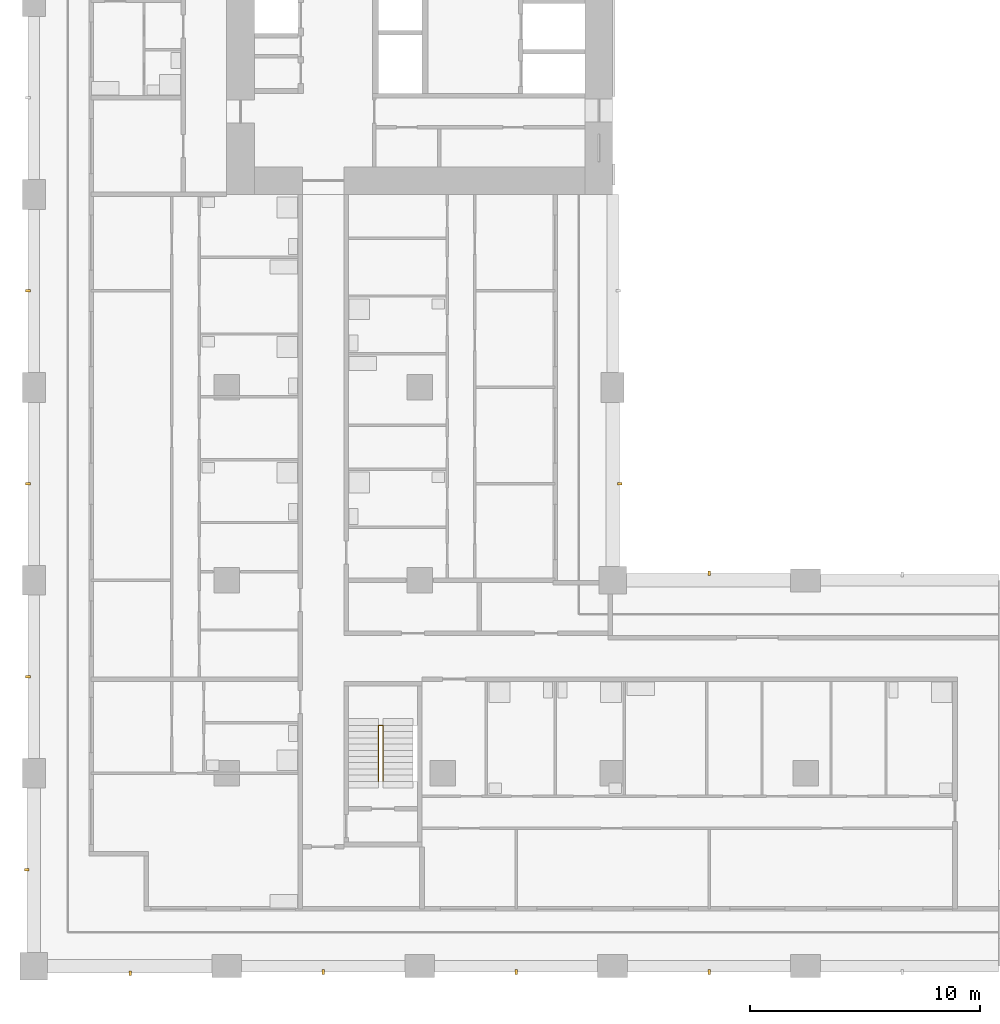
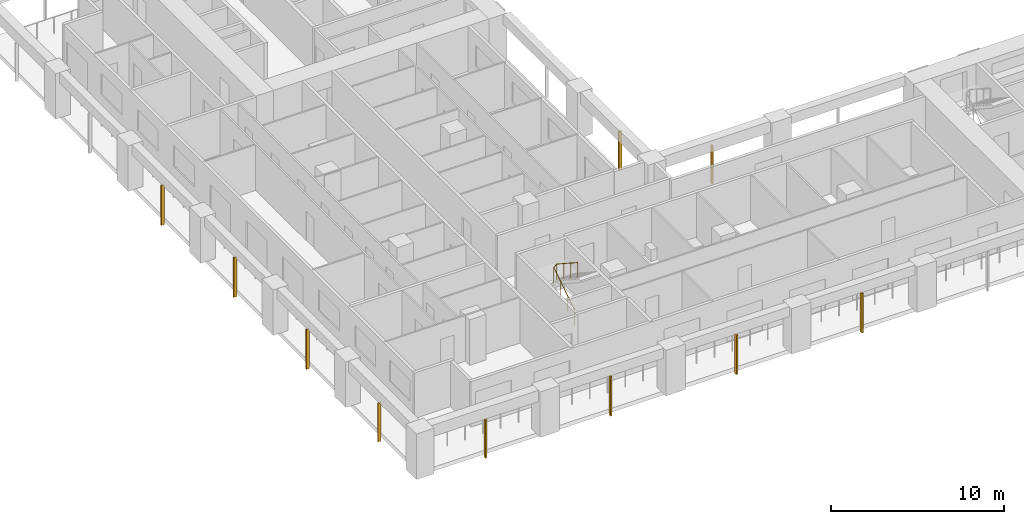
# One storey, part 9 of 16: 10 shading devices, 1 railing.
"""IFC4 building model written with IfcOpenShell, lengths in metres."""

from ifc_helpers import new_model, si_unit, direction, frame, origin, origin_2d, place, context, subcontext, project, spatial, rectangle, circle, extrude, material, material_profile, profile_set, type_object, element, save


model = new_model("IFC4")

# Units and contexts
model_context = context("Model", 3, precision=1e-05, world=origin(), true_north=direction((0.0, 1.0)))
body_context = subcontext(model_context, "Body", "Model", "MODEL_VIEW")
ifc_project = project(units=[si_unit("LENGTHUNIT", "METRE"), si_unit("AREAUNIT", "SQUARE_METRE"), si_unit("VOLUMEUNIT", "CUBIC_METRE"), si_unit("PLANEANGLEUNIT", "RADIAN"), si_unit("MASSUNIT", "GRAM", prefix="KILO")], contexts=[model_context])

# Site, building, storey
site_placement = place(None, origin())
site = spatial("IfcSite", under=ifc_project, at=site_placement, CompositionType="ELEMENT")
building_placement = place(site_placement, origin())
building = spatial("IfcBuilding", under=site, at=building_placement, Name="Vermilion Gate Residences", CompositionType="ELEMENT")
storey_placement = place(building_placement, frame((0.0, 0.0, 130.199951171875)))
storey = spatial("IfcBuildingStorey", under=building, at=storey_placement, Name="L33", CompositionType="ELEMENT", Elevation=130.199951171875)

# Railing
ifc_material_1 = material(Name="Steel S355", Category="steel")
railing_type = type_object("IfcRailingType", Name="STAIR GUARD 1100 STEEL", PredefinedType="GUARDRAIL", material=ifc_material_1)
railing_placement = place(storey_placement, frame((15.0, 16.449951171875, 0.175048828125)))
element("IfcRailing", 1, at=railing_placement, inside=storey, type_object=railing_type, Name="Stair well guard STC1-33", PredefinedType="GUARDRAIL", context=body_context, shape_type="SweptSolid", body=[
    extrude(circle(Radius=0.02392578125, at=origin_2d()), frame((0.0, 0.0, 1.076171875), z_axis=(0.0, 0.839153699163, 0.543894354798), x_axis=(-1.0, 0.0, 0.0)), (0.0, 0.0, 1.0), 2.895751953125),
    extrude(circle(Radius=0.02392578125, at=origin_2d()), frame((0.0, 2.429931640625, 2.65087890625), z_axis=(0.752405939678, 0.0, 0.658699705433), x_axis=(0.0, 1.0, 0.0)), (0.0, 0.0, 1.0), 0.265869140625),
    extrude(circle(Radius=0.02392578125, at=origin_2d()), frame((0.199951171875, 2.429931640625, 2.826171875), z_axis=(0.0, -0.839153699163, 0.543894354798), x_axis=(1.0, 0.0, 0.0)), (0.0, 0.0, 1.0), 2.895751953125),
    extrude(circle(Radius=0.02099609375, at=origin_2d()), origin(), (0.0, 0.0, 1.0), 1.052001953125),
    extrude(circle(Radius=0.02099609375, at=origin_2d()), frame((0.0, 0.81005859375, 0.52490234375)), (0.0, 0.0, 1.0), 1.052001953125),
    extrude(circle(Radius=0.02099609375, at=origin_2d()), frame((0.0, 1.619873046875, 1.050048828125)), (0.0, 0.0, 1.0), 1.052001953125),
    extrude(circle(Radius=0.02099609375, at=origin_2d()), frame((0.0, 2.429931640625, 1.574951171875)), (0.0, 0.0, 1.0), 1.052001953125),
    extrude(circle(Radius=0.02099609375, at=origin_2d()), frame((0.199951171875, 2.429931640625, 1.75)), (0.0, 0.0, 1.0), 1.052001953125),
    extrude(circle(Radius=0.02099609375, at=origin_2d()), frame((0.199951171875, 1.619873046875, 2.27490234375)), (0.0, 0.0, 1.0), 1.052001953125),
    extrude(circle(Radius=0.02099609375, at=origin_2d()), frame((0.199951171875, 0.81005859375, 2.800048828125)), (0.0, 0.0, 1.0), 1.052001953125),
    extrude(circle(Radius=0.02099609375, at=origin_2d()), frame((0.199951171875, 0.0, 3.324951171875)), (0.0, 0.0, 1.0), 1.052001953125),
])

# Shading devices
ifc_material_2 = material(Name="Extruded terracotta", Category="masonry")
ifc_material_profile = material_profile(ifc_material_2, rectangle(XDim=0.199951171875, YDim=0.10009765625, at=origin_2d()), Name="BAGUETTE 100 X 200")
ifc_profile_set = profile_set([ifc_material_profile], Name="Extruded terracotta")
shading_device_type = type_object("IfcShadingDeviceType", Name="TERRACOTTA BAGUETTE 100 X 200", PredefinedType="JALOUSIE", material=ifc_profile_set)
shading_device_placement = place(storey_placement, frame((4.199951171875, 8.10009765625, -0.280029296875), z_axis=(0.0, 0.0, 1.0), x_axis=(0.0, 1.0, 0.0)))
element("IfcShadingDevice", 2, at=shading_device_placement, inside=storey, type_object=shading_device_type, Name="BAGUETTE", PredefinedType="JALOUSIE", context=body_context, shape_type="SweptSolid", body=[
    extrude(rectangle(XDim=0.199951171875, YDim=0.10009765625, at=origin_2d()), origin(), (0.0, 0.0, 1.0), 2.7001953125),
])
for number, where, z_axis, x_axis, name in (
    (3, (12.60009765625, 8.14990234375, -0.280029296875), (0.0, 0.0, 1.0), (0.0, 1.0, 0.0), "BAGUETTE"),
    (4, (21.0, 8.14990234375, -0.280029296875), (0.0, 0.0, 1.0), (0.0, 1.0, 0.0), "BAGUETTE"),
    (5, (29.39990234375, 8.14990234375, -0.280029296875), (0.0, 0.0, 1.0), (0.0, 1.0, 0.0), "BAGUETTE"),
):
    element("IfcShadingDevice", number, at=place(storey_placement, frame(where, z_axis=z_axis, x_axis=x_axis)), inside=storey, type_object=shading_device_type, Name=name, PredefinedType="JALOUSIE", context=body_context, shape_type="SweptSolid", body=[
        extrude(rectangle(XDim=0.199951171875, YDim=0.10009765625, at=origin_2d()), origin(), (0.0, 0.0, 1.0), 2.800048828125),
    ])
for number, where, z_axis, x_axis, name in (
    (6, (29.39990234375, 25.5, -0.280029296875), (0.0, 0.0, 1.0), (0.0, -1.0, 0.0), "BAGUETTE"),
    (7, (25.5, 29.39990234375, -0.280029296875), (0.0, 0.0, 1.0), (-1.0, 0.0, 0.0), "BAGUETTE"),
    (8, (-0.300048828125, 12.60009765625, -0.280029296875), (0.0, 0.0, 1.0), (1.0, 0.0, 0.0), "BAGUETTE"),
):
    element("IfcShadingDevice", number, at=place(storey_placement, frame(where, z_axis=z_axis, x_axis=x_axis)), inside=storey, type_object=shading_device_type, Name=name, PredefinedType="JALOUSIE", context=body_context, shape_type="SweptSolid", body=[
        extrude(rectangle(XDim=0.199951171875, YDim=0.10009765625, at=origin_2d()), origin(), (0.0, 0.0, 1.0), 2.7001953125),
    ])
for number, where, z_axis, x_axis, name in (
    (9, (-0.25, 21.0, -0.280029296875), (0.0, 0.0, 1.0), (1.0, 0.0, 0.0), "BAGUETTE"),
    (10, (-0.25, 29.39990234375, -0.280029296875), (0.0, 0.0, 1.0), (1.0, 0.0, 0.0), "BAGUETTE"),
    (11, (-0.25, 37.800048828125, -0.280029296875), (0.0, 0.0, 1.0), (1.0, 0.0, 0.0), "BAGUETTE"),
):
    element("IfcShadingDevice", number, at=place(storey_placement, frame(where, z_axis=z_axis, x_axis=x_axis)), inside=storey, type_object=shading_device_type, Name=name, PredefinedType="JALOUSIE", context=body_context, shape_type="SweptSolid", body=[
        extrude(rectangle(XDim=0.199951171875, YDim=0.10009765625, at=origin_2d()), origin(), (0.0, 0.0, 1.0), 2.800048828125),
    ])

save(model, "model.ifc")
